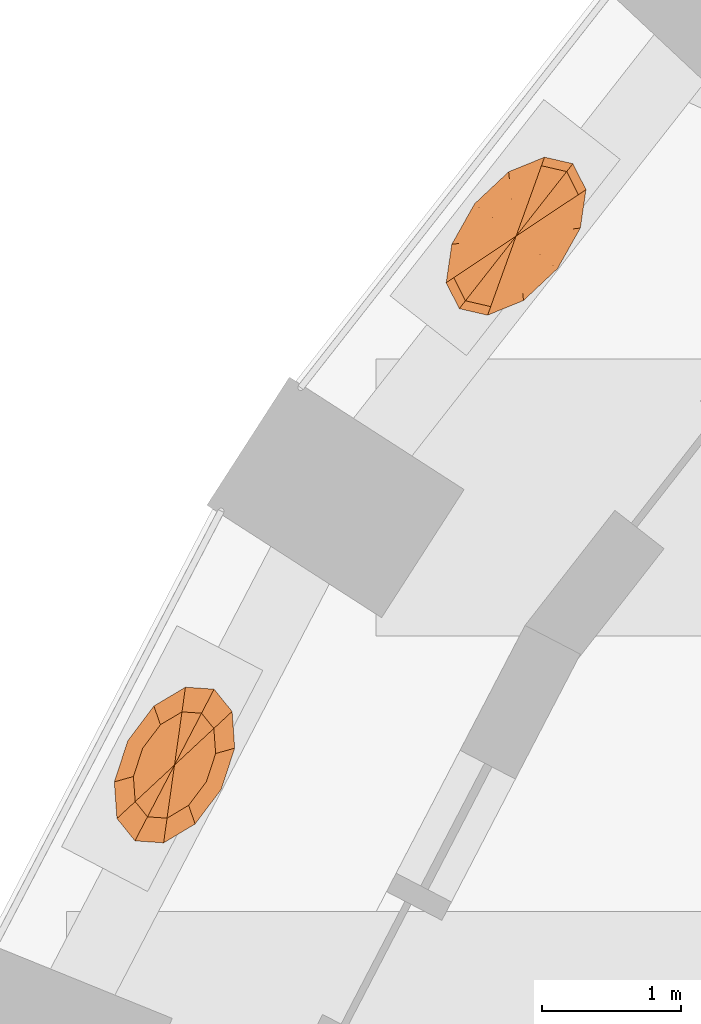
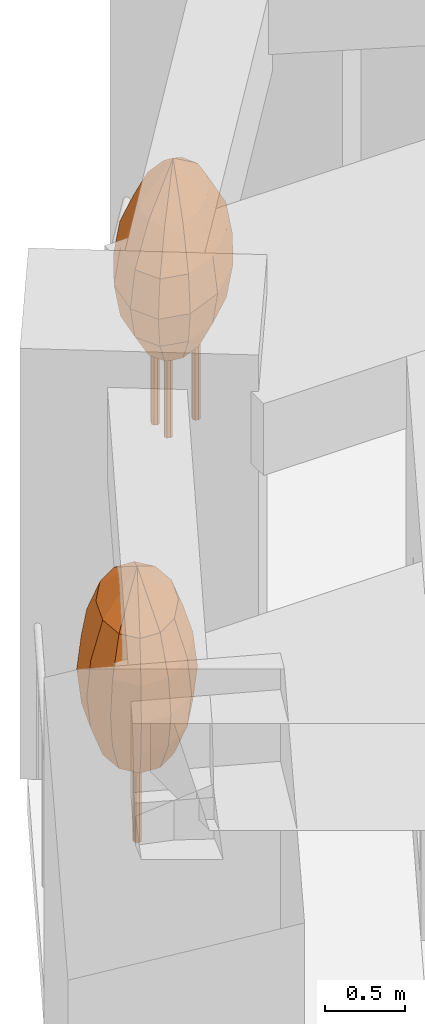
# One storey, part 13 of 13: 2 geographic elements.
"""IFC4 building model written with IfcOpenShell, lengths in metres."""

from ifc_helpers import new_model, si_unit, direction, frame, origin, place, context, subcontext, project, spatial, faceted_brep, material, constituent, constituent_set, type_object, element, save


model = new_model("IFC4")

# Units and contexts
model_context = context("Model", 3, precision=1e-05, world=origin(), true_north=direction((0.0, 1.0)))
body_context = subcontext(model_context, "Body", "Model", "MODEL_VIEW")
ifc_project = project(units=[si_unit("LENGTHUNIT", "METRE"), si_unit("AREAUNIT", "SQUARE_METRE"), si_unit("VOLUMEUNIT", "CUBIC_METRE"), si_unit("PLANEANGLEUNIT", "RADIAN"), si_unit("MASSUNIT", "GRAM", prefix="KILO")], contexts=[model_context])

# Site, building, storey
site_placement = place(None, origin())
site = spatial("IfcSite", under=ifc_project, at=site_placement, CompositionType="ELEMENT")
building_placement = place(site_placement, origin())
building = spatial("IfcBuilding", under=site, at=building_placement, Name="Taillehof Tower", CompositionType="ELEMENT")
storey_placement = place(building_placement, frame((0.0, 0.0, 71.199951171875)))
storey = spatial("IfcBuildingStorey", under=building, at=storey_placement, Name="L19", CompositionType="ELEMENT", Elevation=71.199951171875)

# Geographic elements
ifc_material_1 = material(Name="Tree bark", Category="timber")
ifc_constituent_1 = constituent(ifc_material_1, Name="Trunk", Category="timber")
ifc_material_2 = material(Name="Tree foliage")
ifc_constituent_2 = constituent(ifc_material_2, Name="Crown")
ifc_constituent_set_1 = constituent_set(constituents=[ifc_constituent_1, ifc_constituent_2], Name="Tree TR1 Columnar hornbeam")
geographic_element_type_1 = type_object("IfcGeographicElementType", Name="Tree TR1 Columnar hornbeam", PredefinedType="USERDEFINED", material=ifc_constituent_set_1)
geographic_element_1_placement = place(storey_placement, frame((-25.627685546875, 10.692626953125, 0.75)))
element("IfcGeographicElement", 1, at=geographic_element_1_placement, inside=storey, type_object=geographic_element_type_1, Name="Tree TR1 Columnar hornbeam", ObjectType="TREE", PredefinedType="USERDEFINED", context=body_context, shape_type="Brep", body=[
    faceted_brep([(0.030029296875, 0.0, 0.0), (0.021240234375, 0.021240234375, 0.0), (0.021240234375, 0.021240234375, 1.092529296875), (0.030029296875, 0.0, 1.092529296875), (0.0, 0.030029296875, 0.0), (0.0, 0.030029296875, 1.092529296875), (-0.021240234375, 0.021240234375, 0.0), (-0.021240234375, 0.021240234375, 1.092529296875), (-0.030029296875, 0.0, 0.0), (-0.030029296875, 0.0, 1.092529296875), (-0.021240234375, -0.021240234375, 0.0), (-0.021240234375, -0.021240234375, 1.092529296875), (0.0, -0.030029296875, 0.0), (0.0, -0.030029296875, 1.092529296875), (0.021240234375, -0.021240234375, 0.0), (0.021240234375, -0.021240234375, 1.092529296875)], [[[0, 1, 2, 3]], [[1, 4, 5, 2]], [[4, 6, 7, 5]], [[6, 8, 9, 7]], [[8, 10, 11, 9]], [[10, 12, 13, 11]], [[12, 14, 15, 13]], [[14, 0, 3, 15]], [[14, 12, 10, 8, 6, 4, 1, 0]], [[3, 2, 5, 7, 9, 11, 13, 15]]]),
    faceted_brep([(0.0, 0.0, 0.550048828125), (-0.053955078125, -0.3837890625, 0.808349609375), (-0.195068359375, -0.3740234375, 0.808349609375), (0.101806640625, -0.291015625, 0.808349609375), (0.230224609375, -0.1201171875, 0.808349609375), (0.296875, 0.0830078125, 0.808349609375), (0.283935546875, 0.263916015625, 0.808349609375), (0.195068359375, 0.3740234375, 0.808349609375), (0.053955078125, 0.3837890625, 0.808349609375), (-0.101806640625, 0.291015625, 0.808349609375), (-0.230224609375, 0.1201171875, 0.808349609375), (-0.296875, -0.0830078125, 0.808349609375), (-0.283935546875, -0.263916015625, 0.808349609375), (-0.07275390625, -0.519287109375, 1.066650390625), (-0.263916015625, -0.505859375, 1.066650390625), (0.1376953125, -0.3935546875, 1.066650390625), (0.311279296875, -0.162353515625, 1.066650390625), (0.401611328125, 0.1123046875, 1.066650390625), (0.38427734375, 0.35693359375, 1.066650390625), (0.263916015625, 0.505859375, 1.066650390625), (0.07275390625, 0.519287109375, 1.066650390625), (-0.1376953125, 0.3935546875, 1.066650390625), (-0.311279296875, 0.162353515625, 1.066650390625), (-0.401611328125, -0.1123046875, 1.066650390625), (-0.38427734375, -0.35693359375, 1.066650390625), (-0.078857421875, -0.56201171875, 1.324951171875), (-0.28564453125, -0.547607421875, 1.324951171875), (0.14892578125, -0.426025390625, 1.324951171875), (0.3369140625, -0.17578125, 1.324951171875), (0.4345703125, 0.12158203125, 1.324951171875), (0.415771484375, 0.38623046875, 1.324951171875), (0.28564453125, 0.547607421875, 1.324951171875), (0.078857421875, 0.56201171875, 1.324951171875), (-0.14892578125, 0.426025390625, 1.324951171875), (-0.3369140625, 0.17578125, 1.324951171875), (-0.4345703125, -0.12158203125, 1.324951171875), (-0.415771484375, -0.38623046875, 1.324951171875), (-0.07275390625, -0.519287109375, 1.583251953125), (-0.263916015625, -0.505859375, 1.583251953125), (0.1376953125, -0.3935546875, 1.583251953125), (0.311279296875, -0.162353515625, 1.583251953125), (0.401611328125, 0.1123046875, 1.583251953125), (0.38427734375, 0.35693359375, 1.583251953125), (0.263916015625, 0.505859375, 1.583251953125), (0.07275390625, 0.519287109375, 1.583251953125), (-0.1376953125, 0.3935546875, 1.583251953125), (-0.311279296875, 0.162353515625, 1.583251953125), (-0.401611328125, -0.1123046875, 1.583251953125), (-0.38427734375, -0.35693359375, 1.583251953125), (-0.053955078125, -0.3837890625, 1.841552734375), (-0.195068359375, -0.3740234375, 1.841552734375), (0.101806640625, -0.291015625, 1.841552734375), (0.230224609375, -0.1201171875, 1.841552734375), (0.296875, 0.0830078125, 1.841552734375), (0.283935546875, 0.263916015625, 1.841552734375), (0.195068359375, 0.3740234375, 1.841552734375), (0.053955078125, 0.3837890625, 1.841552734375), (-0.101806640625, 0.291015625, 1.841552734375), (-0.230224609375, 0.1201171875, 1.841552734375), (-0.296875, -0.0830078125, 1.841552734375), (-0.283935546875, -0.263916015625, 1.841552734375), (0.0, 0.0, 2.10009765625)], [[[0, 1, 2]], [[0, 3, 1]], [[0, 4, 3]], [[0, 5, 4]], [[0, 6, 5]], [[0, 7, 6]], [[0, 8, 7]], [[0, 9, 8]], [[0, 10, 9]], [[0, 11, 10]], [[0, 12, 11]], [[0, 2, 12]], [[2, 1, 13, 14]], [[1, 3, 15, 13]], [[3, 4, 16, 15]], [[4, 5, 17, 16]], [[5, 6, 18, 17]], [[6, 7, 19, 18]], [[7, 8, 20, 19]], [[8, 9, 21, 20]], [[9, 10, 22, 21]], [[10, 11, 23, 22]], [[11, 12, 24, 23]], [[12, 2, 14, 24]], [[14, 13, 25, 26]], [[13, 15, 27, 25]], [[15, 16, 28, 27]], [[16, 17, 29, 28]], [[17, 18, 30, 29]], [[18, 19, 31, 30]], [[19, 20, 32, 31]], [[20, 21, 33, 32]], [[21, 22, 34, 33]], [[22, 23, 35, 34]], [[23, 24, 36, 35]], [[24, 14, 26, 36]], [[26, 25, 37, 38]], [[25, 27, 39, 37]], [[27, 28, 40, 39]], [[28, 29, 41, 40]], [[29, 30, 42, 41]], [[30, 31, 43, 42]], [[31, 32, 44, 43]], [[32, 33, 45, 44]], [[33, 34, 46, 45]], [[34, 35, 47, 46]], [[35, 36, 48, 47]], [[36, 26, 38, 48]], [[38, 37, 49, 50]], [[37, 39, 51, 49]], [[39, 40, 52, 51]], [[40, 41, 53, 52]], [[41, 42, 54, 53]], [[42, 43, 55, 54]], [[43, 44, 56, 55]], [[44, 45, 57, 56]], [[45, 46, 58, 57]], [[46, 47, 59, 58]], [[47, 48, 60, 59]], [[48, 38, 50, 60]], [[50, 49, 61]], [[49, 51, 61]], [[51, 52, 61]], [[52, 53, 61]], [[53, 54, 61]], [[54, 55, 61]], [[55, 56, 61]], [[56, 57, 61]], [[57, 58, 61]], [[58, 59, 61]], [[59, 60, 61]], [[60, 50, 61]]]),
])
ifc_material_3 = material(Name="Tree bark", Category="timber")
ifc_constituent_3 = constituent(ifc_material_3, Name="Trunk", Category="timber")
ifc_material_4 = material(Name="Tree foliage")
ifc_constituent_4 = constituent(ifc_material_4, Name="Crown")
ifc_constituent_set_2 = constituent_set(constituents=[ifc_constituent_3, ifc_constituent_4], Name="Tree TR3 Multi-stem serviceberry")
geographic_element_type_2 = type_object("IfcGeographicElementType", Name="Tree TR3 Multi-stem serviceberry", PredefinedType="USERDEFINED", material=ifc_constituent_set_2)
geographic_element_2_placement = place(storey_placement, frame((-23.16162109375, 14.510986328125, 0.75)))
element("IfcGeographicElement", 2, at=geographic_element_2_placement, inside=storey, type_object=geographic_element_type_2, Name="Tree TR3 Multi-stem serviceberry", ObjectType="TREE", PredefinedType="USERDEFINED", context=body_context, shape_type="Brep", body=[
    faceted_brep([(0.195068359375, 0.0, 0.0), (0.186767578125, 0.0205078125, 0.0), (0.186767578125, 0.0205078125, 1.04248046875), (0.195068359375, 0.0, 1.04248046875), (0.166259765625, 0.02880859375, 0.0), (0.166259765625, 0.02880859375, 1.04248046875), (0.145751953125, 0.0205078125, 0.0), (0.145751953125, 0.0205078125, 1.04248046875), (0.137451171875, 0.0, 0.0), (0.137451171875, 0.0, 1.04248046875), (0.145751953125, -0.0205078125, 0.0), (0.145751953125, -0.0205078125, 1.04248046875), (0.166259765625, -0.02880859375, 0.0), (0.166259765625, -0.02880859375, 1.04248046875), (0.186767578125, -0.0205078125, 0.0), (0.186767578125, -0.0205078125, 1.04248046875)], [[[0, 1, 2, 3]], [[1, 4, 5, 2]], [[4, 6, 7, 5]], [[6, 8, 9, 7]], [[8, 10, 11, 9]], [[10, 12, 13, 11]], [[12, 14, 15, 13]], [[14, 0, 3, 15]], [[14, 12, 10, 8, 6, 4, 1, 0]], [[3, 2, 5, 7, 9, 11, 13, 15]]]),
    faceted_brep([(-0.05419921875, 0.082275390625, 0.0), (-0.062744140625, 0.102783203125, 0.0), (-0.062744140625, 0.102783203125, 1.04248046875), (-0.05419921875, 0.082275390625, 1.04248046875), (-0.0830078125, 0.111083984375, 0.0), (-0.0830078125, 0.111083984375, 1.04248046875), (-0.103515625, 0.102783203125, 0.0), (-0.103515625, 0.102783203125, 1.04248046875), (-0.112060546875, 0.082275390625, 0.0), (-0.112060546875, 0.082275390625, 1.04248046875), (-0.103515625, 0.061767578125, 0.0), (-0.103515625, 0.061767578125, 1.04248046875), (-0.0830078125, 0.053466796875, 0.0), (-0.0830078125, 0.053466796875, 1.04248046875), (-0.062744140625, 0.061767578125, 0.0), (-0.062744140625, 0.061767578125, 1.04248046875)], [[[0, 1, 2, 3]], [[1, 4, 5, 2]], [[4, 6, 7, 5]], [[6, 8, 9, 7]], [[8, 10, 11, 9]], [[10, 12, 13, 11]], [[12, 14, 15, 13]], [[14, 0, 3, 15]], [[14, 12, 10, 8, 6, 4, 1, 0]], [[3, 2, 5, 7, 9, 11, 13, 15]]]),
    faceted_brep([(-0.05419921875, -0.082275390625, 0.0), (-0.062744140625, -0.061767578125, 0.0), (-0.062744140625, -0.061767578125, 1.04248046875), (-0.05419921875, -0.082275390625, 1.04248046875), (-0.0830078125, -0.053466796875, 0.0), (-0.0830078125, -0.053466796875, 1.04248046875), (-0.103515625, -0.061767578125, 0.0), (-0.103515625, -0.061767578125, 1.04248046875), (-0.112060546875, -0.082275390625, 0.0), (-0.112060546875, -0.082275390625, 1.04248046875), (-0.103515625, -0.102783203125, 0.0), (-0.103515625, -0.102783203125, 1.04248046875), (-0.0830078125, -0.111083984375, 0.0), (-0.0830078125, -0.111083984375, 1.04248046875), (-0.062744140625, -0.102783203125, 0.0), (-0.062744140625, -0.102783203125, 1.04248046875)], [[[0, 1, 2, 3]], [[1, 4, 5, 2]], [[4, 6, 7, 5]], [[6, 8, 9, 7]], [[8, 10, 11, 9]], [[10, 12, 13, 11]], [[12, 14, 15, 13]], [[14, 0, 3, 15]], [[14, 12, 10, 8, 6, 4, 1, 0]], [[3, 2, 5, 7, 9, 11, 13, 15]]]),
    faceted_brep([(0.0, 0.0, 0.5), (-0.1181640625, -0.32763671875, 0.75830078125), (-0.235595703125, -0.30078125, 0.75830078125), (0.031005859375, -0.266845703125, 0.75830078125), (0.171875, -0.134521484375, 0.75830078125), (0.2666015625, 0.03369140625, 0.75830078125), (0.289794921875, 0.193115234375, 0.75830078125), (0.235595703125, 0.30078125, 0.75830078125), (0.1181640625, 0.32763671875, 0.75830078125), (-0.031005859375, 0.266845703125, 0.75830078125), (-0.171875, 0.134521484375, 0.75830078125), (-0.2666015625, -0.03369140625, 0.75830078125), (-0.289794921875, -0.193115234375, 0.75830078125), (-0.18310546875, -0.508544921875, 1.0166015625), (-0.365478515625, -0.466552734375, 1.0166015625), (0.048095703125, -0.4140625, 1.0166015625), (0.2666015625, -0.208740234375, 1.0166015625), (0.41357421875, 0.052490234375, 1.0166015625), (0.449951171875, 0.299560546875, 1.0166015625), (0.365478515625, 0.466552734375, 1.0166015625), (0.18310546875, 0.508544921875, 1.0166015625), (-0.048095703125, 0.4140625, 1.0166015625), (-0.2666015625, 0.208740234375, 1.0166015625), (-0.41357421875, -0.052490234375, 1.0166015625), (-0.449951171875, -0.299560546875, 1.0166015625), (-0.20556640625, -0.570556640625, 1.27490234375), (-0.41015625, -0.5234375, 1.27490234375), (0.053955078125, -0.464599609375, 1.27490234375), (0.299072265625, -0.234375, 1.27490234375), (0.464111328125, 0.058837890625, 1.27490234375), (0.504638671875, 0.336181640625, 1.27490234375), (0.41015625, 0.5234375, 1.27490234375), (0.20556640625, 0.570556640625, 1.27490234375), (-0.053955078125, 0.464599609375, 1.27490234375), (-0.299072265625, 0.234375, 1.27490234375), (-0.464111328125, -0.058837890625, 1.27490234375), (-0.504638671875, -0.336181640625, 1.27490234375), (-0.18310546875, -0.508544921875, 1.533447265625), (-0.365478515625, -0.466552734375, 1.533447265625), (0.048095703125, -0.4140625, 1.533447265625), (0.2666015625, -0.208740234375, 1.533447265625), (0.41357421875, 0.052490234375, 1.533447265625), (0.449951171875, 0.299560546875, 1.533447265625), (0.365478515625, 0.466552734375, 1.533447265625), (0.18310546875, 0.508544921875, 1.533447265625), (-0.048095703125, 0.4140625, 1.533447265625), (-0.2666015625, 0.208740234375, 1.533447265625), (-0.41357421875, -0.052490234375, 1.533447265625), (-0.449951171875, -0.299560546875, 1.533447265625), (-0.1181640625, -0.32763671875, 1.791748046875), (-0.235595703125, -0.30078125, 1.791748046875), (0.031005859375, -0.266845703125, 1.791748046875), (0.171875, -0.134521484375, 1.791748046875), (0.2666015625, 0.03369140625, 1.791748046875), (0.289794921875, 0.193115234375, 1.791748046875), (0.235595703125, 0.30078125, 1.791748046875), (0.1181640625, 0.32763671875, 1.791748046875), (-0.031005859375, 0.266845703125, 1.791748046875), (-0.171875, 0.134521484375, 1.791748046875), (-0.2666015625, -0.03369140625, 1.791748046875), (-0.289794921875, -0.193115234375, 1.791748046875), (0.0, 0.0, 2.050048828125)], [[[0, 1, 2]], [[0, 3, 1]], [[0, 4, 3]], [[0, 5, 4]], [[0, 6, 5]], [[0, 7, 6]], [[0, 8, 7]], [[0, 9, 8]], [[0, 10, 9]], [[0, 11, 10]], [[0, 12, 11]], [[0, 2, 12]], [[2, 1, 13, 14]], [[1, 3, 15, 13]], [[3, 4, 16, 15]], [[4, 5, 17, 16]], [[5, 6, 18, 17]], [[6, 7, 19, 18]], [[7, 8, 20, 19]], [[8, 9, 21, 20]], [[9, 10, 22, 21]], [[10, 11, 23, 22]], [[11, 12, 24, 23]], [[12, 2, 14, 24]], [[14, 13, 25, 26]], [[13, 15, 27, 25]], [[15, 16, 28, 27]], [[16, 17, 29, 28]], [[17, 18, 30, 29]], [[18, 19, 31, 30]], [[19, 20, 32, 31]], [[20, 21, 33, 32]], [[21, 22, 34, 33]], [[22, 23, 35, 34]], [[23, 24, 36, 35]], [[24, 14, 26, 36]], [[26, 25, 37, 38]], [[25, 27, 39, 37]], [[27, 28, 40, 39]], [[28, 29, 41, 40]], [[29, 30, 42, 41]], [[30, 31, 43, 42]], [[31, 32, 44, 43]], [[32, 33, 45, 44]], [[33, 34, 46, 45]], [[34, 35, 47, 46]], [[35, 36, 48, 47]], [[36, 26, 38, 48]], [[38, 37, 49, 50]], [[37, 39, 51, 49]], [[39, 40, 52, 51]], [[40, 41, 53, 52]], [[41, 42, 54, 53]], [[42, 43, 55, 54]], [[43, 44, 56, 55]], [[44, 45, 57, 56]], [[45, 46, 58, 57]], [[46, 47, 59, 58]], [[47, 48, 60, 59]], [[48, 38, 50, 60]], [[50, 49, 61]], [[49, 51, 61]], [[51, 52, 61]], [[52, 53, 61]], [[53, 54, 61]], [[54, 55, 61]], [[55, 56, 61]], [[56, 57, 61]], [[57, 58, 61]], [[58, 59, 61]], [[59, 60, 61]], [[60, 50, 61]]]),
])

save(model, "model.ifc")
